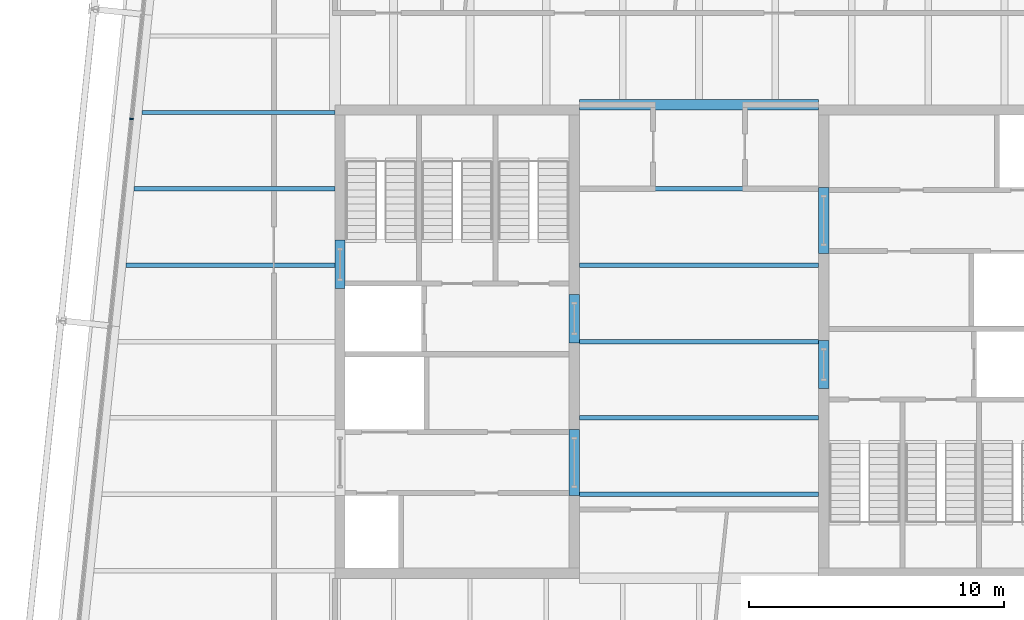
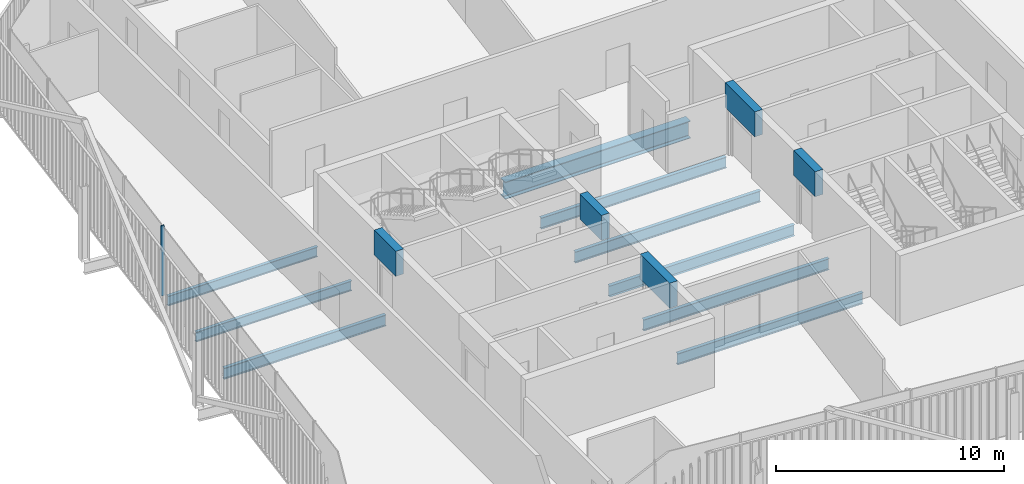
# One storey, part 8 of 21: 14 beams, 1 member, 1 element without a shape of its own.
"""IFC4 building model written with IfcOpenShell, lengths in metres."""

from ifc_helpers import new_model, si_unit, direction, frame, origin, origin_2d, place, context, subcontext, project, spatial, rectangle, i_section, extrude, material, layer, layer_set, material_profile, profile_set, type_object, element, aggregate, save


model = new_model("IFC4")

# Units and contexts
model_context = context("Model", 3, precision=1e-05, world=origin(), true_north=direction((0.0, 1.0)))
body_context = subcontext(model_context, "Body", "Model", "MODEL_VIEW")
ifc_project = project(units=[si_unit("LENGTHUNIT", "METRE"), si_unit("AREAUNIT", "SQUARE_METRE"), si_unit("VOLUMEUNIT", "CUBIC_METRE"), si_unit("PLANEANGLEUNIT", "RADIAN"), si_unit("MASSUNIT", "GRAM", prefix="KILO")], contexts=[model_context])

# Site, building, storey
site_placement = place(None, origin())
site = spatial("IfcSite", under=ifc_project, at=site_placement, CompositionType="ELEMENT")
building_placement = place(site_placement, origin())
building = spatial("IfcBuilding", under=site, at=building_placement, Name="Millrace Tower", CompositionType="ELEMENT")
storey_placement = place(building_placement, frame((0.0, 0.0, 334.300048828125)))
storey = spatial("IfcBuildingStorey", under=building, at=storey_placement, Name="L77", CompositionType="ELEMENT", Elevation=334.300048828125)

# Curtain wall, member
ifc_material_1 = material(Name="Aluminium and glass", Category="aluminium")
ifc_layer = layer(ifc_material_1, 0.14990234375)
ifc_layer_set = layer_set([ifc_layer], Name="Aluminium and glass")
curtain_wall_type = type_object("IfcCurtainWallType", Name="CW-1 office vision curtain wall", PredefinedType="NOTDEFINED", material=ifc_layer_set)
curtain_wall_placement = place(storey_placement, origin())
curtain_wall = element("IfcCurtainWall", 1, at=curtain_wall_placement, inside=storey, type_object=curtain_wall_type, Name="Curtain wall E-F08 L77", PredefinedType="NOTDEFINED")
ifc_material_2 = material(Name="Aluminium", Category="aluminium")
ifc_material_profile_1 = material_profile(ifc_material_2, rectangle(XDim=0.06494140625, YDim=0.14990234375, at=origin_2d()))
ifc_profile_set_1 = profile_set([ifc_material_profile_1], Name="Aluminium")
member_type = type_object("IfcMemberType", Name="CW-1 office vision curtain wall mullion", PredefinedType="MULLION", material=ifc_profile_set_1)
member_placement = place(storey_placement, frame((-22.2890625, 8.742431640625, 0.139892578125), z_axis=(0.0, 0.0, 1.0), x_axis=(-0.104528455196, -0.994521896217, 0.0)))
member = element("IfcMember", 2, at=member_placement, type_object=member_type, Name="CW1 mullion E-F08.5", PredefinedType="MULLION", context=body_context, shape_type="SweptSolid", body=[
    extrude(rectangle(XDim=0.06494140625, YDim=0.14990234375, at=origin_2d()), origin(), (0.0, 0.0, 1.0), 3.760009765625),
])
aggregate(curtain_wall, [member])

# Beams
ifc_material_3 = material(Name="Concrete C60", Category="concrete")
ifc_material_profile_2 = material_profile(ifc_material_3, rectangle(XDim=0.39990234375, YDim=1.340087890625, at=origin_2d()))
ifc_profile_set_2 = profile_set([ifc_material_profile_2], Name="Concrete C60")
beam_type_1 = type_object("IfcBeamType", Name="Coupling beam 400 x 1340 Concrete C60, 1300 opening", PredefinedType="BEAM", material=ifc_profile_set_2)
beam_1_placement = place(storey_placement, frame((-14.10009765625, 2.080078125, 3.070068359375), z_axis=(0.0, 1.0, 0.0), x_axis=(-1.0, 0.0, 0.0)))
element("IfcBeam", 3, at=beam_1_placement, inside=storey, type_object=beam_type_1, Name="Coupling beam W L77", PredefinedType="BEAM", context=body_context, shape_type="SweptSolid", body=[
    extrude(rectangle(XDim=0.39990234375, YDim=1.340087890625, at=origin_2d()), origin(), (0.0, 0.0, 1.0), 1.89990234375),
])
for number, where, z_axis, x_axis, name in (
    (4, (-4.89990234375, -0.050048828125, 3.070068359375), (0.0, 1.0, 0.0), (-1.0, 0.0, 0.0), "Coupling beam W L77"),
    (5, (4.89990234375, 0.050048828125, 3.070068359375), (0.0, -1.0, 0.0), (1.0, 0.0, 0.0), "Coupling beam E L77"),
):
    element("IfcBeam", number, at=place(storey_placement, frame(where, z_axis=z_axis, x_axis=x_axis)), inside=storey, type_object=beam_type_1, Name=name, PredefinedType="BEAM", context=body_context, shape_type="SweptSolid", body=[
        extrude(rectangle(XDim=0.39990234375, YDim=1.340087890625, at=origin_2d()), origin(), (0.0, 0.0, 1.0), 1.900146484375),
    ])
ifc_material_4 = material(Name="Concrete C60", Category="concrete")
ifc_material_profile_3 = material_profile(ifc_material_4, rectangle(XDim=0.39990234375, YDim=1.340087890625, at=origin_2d()))
ifc_profile_set_3 = profile_set([ifc_material_profile_3], Name="Concrete C60")
beam_type_2 = type_object("IfcBeamType", Name="Coupling beam 400 x 1340 Concrete C60, 2000 opening", PredefinedType="BEAM", material=ifc_profile_set_3)
for number, where, z_axis, x_axis, name in (
    (6, (-4.89990234375, -6.050048828125, 3.070068359375), (0.0, 1.0, 0.0), (-1.0, 0.0, 0.0), "Coupling beam W L77"),
    (7, (4.89990234375, 6.050048828125, 3.070068359375), (0.0, -1.0, 0.0), (1.0, 0.0, 0.0), "Coupling beam E L77"),
):
    element("IfcBeam", number, at=place(storey_placement, frame(where, z_axis=z_axis, x_axis=x_axis)), inside=storey, type_object=beam_type_2, Name=name, PredefinedType="BEAM", context=body_context, shape_type="SweptSolid", body=[
        extrude(rectangle(XDim=0.39990234375, YDim=1.340087890625, at=origin_2d()), origin(), (0.0, 0.0, 1.0), 2.60009765625),
    ])
ifc_material_5 = material(Name="Steel ASTM A992 Grade 50", Category="steel")
ifc_material_profile_4 = material_profile(ifc_material_5, i_section(OverallWidth=0.1650390625, OverallDepth=0.52587890625, WebThickness=0.0087890625, FlangeThickness=0.011474609375, FilletRadius=0.0126953125, at=origin_2d()))
ifc_profile_set_4 = profile_set([ifc_material_profile_4], Name="Steel ASTM A992 Grade 50")
beam_type_3 = type_object("IfcBeamType", Name="Floor beam W21x44", PredefinedType="JOIST", material=ifc_profile_set_4)
beam_2_placement = place(storey_placement, frame((-22.19287109375, 6.0, -0.4228515625), z_axis=(1.0, 0.0, 0.0), x_axis=(0.0, 1.0, 0.0)))
element("IfcBeam", 8, at=beam_2_placement, inside=storey, type_object=beam_type_3, Name="BM-E-L77-S1-S021", PredefinedType="JOIST", context=body_context, shape_type="SweptSolid", body=[
    extrude(i_section(OverallWidth=0.1650390625, OverallDepth=0.52587890625, WebThickness=0.0087890625, FlangeThickness=0.011474609375, FilletRadius=0.0126953125, at=origin_2d()), origin(), (0.0, 0.0, 1.0), 7.892822265625),
])
beam_3_placement = place(storey_placement, frame((-21.87744140625, 9.0, -0.4228515625), z_axis=(1.0, 0.0, 0.0), x_axis=(0.0, 1.0, 0.0)))
element("IfcBeam", 9, at=beam_3_placement, inside=storey, type_object=beam_type_3, Name="BM-E-L77-S1-S023", PredefinedType="JOIST", context=body_context, shape_type="SweptSolid", body=[
    extrude(i_section(OverallWidth=0.1650390625, OverallDepth=0.52587890625, WebThickness=0.0087890625, FlangeThickness=0.011474609375, FilletRadius=0.0126953125, at=origin_2d()), origin(), (0.0, 0.0, 1.0), 7.577392578125),
])
ifc_material_6 = material(Name="Steel ASTM A992 Grade 50", Category="steel")
ifc_material_profile_5 = material_profile(ifc_material_6, i_section(OverallWidth=0.177978515625, OverallDepth=0.599365234375, WebThickness=0.010009765625, FlangeThickness=0.012939453125, FilletRadius=0.012939453125, at=origin_2d()))
ifc_profile_set_5 = profile_set([ifc_material_profile_5], Name="Steel ASTM A992 Grade 50")
beam_type_4 = type_object("IfcBeamType", Name="Floor beam W24x55", PredefinedType="JOIST", material=ifc_profile_set_5)
for number, where, z_axis, x_axis, name in (
    (10, (-4.699951171875, -6.0, -0.459716796875), (1.0, 0.0, 0.0), (0.0, 1.0, 0.0), "BM-E-L77-S1-S008"),
    (11, (-4.699951171875, -3.0, -0.459716796875), (1.0, 0.0, 0.0), (0.0, 1.0, 0.0), "BM-E-L77-S1-S011"),
    (12, (-4.699951171875, 0.0, -0.459716796875), (1.0, 0.0, 0.0), (0.0, 1.0, 0.0), "BM-E-L77-S1-S014"),
    (13, (-4.699951171875, 3.0, -0.459716796875), (1.0, 0.0, 0.0), (0.0, 1.0, 0.0), "BM-E-L77-S1-S017"),
):
    element("IfcBeam", number, at=place(storey_placement, frame(where, z_axis=z_axis, x_axis=x_axis)), inside=storey, type_object=beam_type_4, Name=name, PredefinedType="JOIST", context=body_context, shape_type="SweptSolid", body=[
        extrude(i_section(OverallWidth=0.177978515625, OverallDepth=0.599365234375, WebThickness=0.010009765625, FlangeThickness=0.012939453125, FilletRadius=0.012939453125, at=origin_2d()), origin(), (0.0, 0.0, 1.0), 9.39990234375),
    ])
beam_4_placement = place(storey_placement, frame((-22.508056640625, 3.0, -0.459716796875), z_axis=(1.0, 0.0, 0.0), x_axis=(0.0, 1.0, 0.0)))
element("IfcBeam", 14, at=beam_4_placement, inside=storey, type_object=beam_type_4, Name="BM-E-L77-S1-S018", PredefinedType="JOIST", context=body_context, shape_type="SweptSolid", body=[
    extrude(i_section(OverallWidth=0.177978515625, OverallDepth=0.599365234375, WebThickness=0.010009765625, FlangeThickness=0.012939453125, FilletRadius=0.012939453125, at=origin_2d()), origin(), (0.0, 0.0, 1.0), 8.2080078125),
])
beam_5_placement = place(storey_placement, frame((-4.699951171875, 6.0, -0.459716796875), z_axis=(1.0, 0.0, 0.0), x_axis=(0.0, 1.0, 0.0)))
element("IfcBeam", 15, at=beam_5_placement, inside=storey, type_object=beam_type_4, Name="BM-E-L77-S1-S020", PredefinedType="JOIST", context=body_context, shape_type="SweptSolid", body=[
    extrude(i_section(OverallWidth=0.177978515625, OverallDepth=0.599365234375, WebThickness=0.010009765625, FlangeThickness=0.012939453125, FilletRadius=0.012939453125, at=origin_2d()), origin(), (0.0, 0.0, 1.0), 9.39990234375),
])
ifc_material_7 = material(Name="Steel ASTM A992 Grade 50", Category="steel")
ifc_material_profile_6 = material_profile(ifc_material_7, i_section(OverallWidth=0.419189453125, OverallDepth=0.927001953125, WebThickness=0.019287109375, FlangeThickness=0.031982421875, FilletRadius=0.024169921875, at=origin_2d()))
ifc_profile_set_6 = profile_set([ifc_material_profile_6], Name="Steel ASTM A992 Grade 50")
beam_type_5 = type_object("IfcBeamType", Name="Girder short span W36x231", PredefinedType="BEAM", material=ifc_profile_set_6)
beam_6_placement = place(storey_placement, frame((-4.699951171875, 9.300048828125, -0.62353515625), z_axis=(1.0, 0.0, 0.0), x_axis=(0.0, 1.0, 0.0)))
element("IfcBeam", 16, at=beam_6_placement, inside=storey, type_object=beam_type_5, Name="BM-E-L77-S1-G058", PredefinedType="BEAM", context=body_context, shape_type="SweptSolid", body=[
    extrude(i_section(OverallWidth=0.419189453125, OverallDepth=0.927001953125, WebThickness=0.019287109375, FlangeThickness=0.031982421875, FilletRadius=0.024169921875, at=origin_2d()), origin(), (0.0, 0.0, 1.0), 9.39990234375),
])

save(model, "model.ifc")
